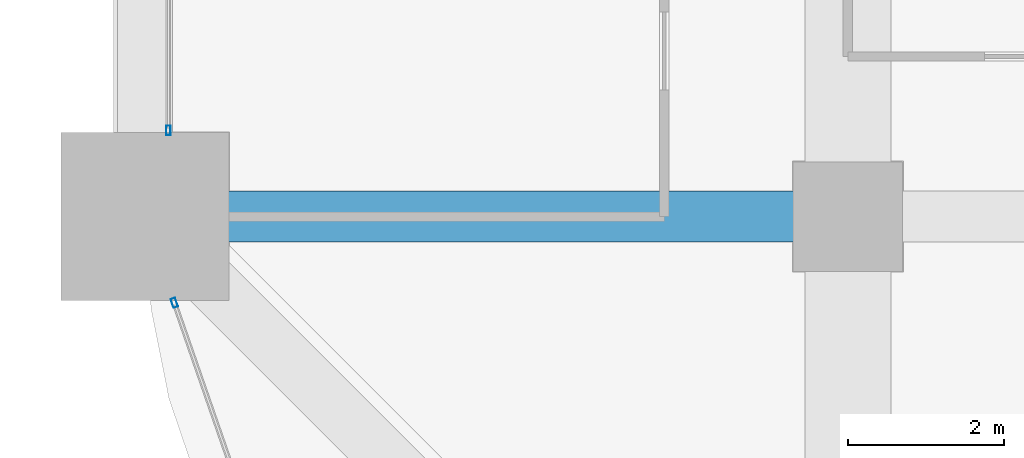
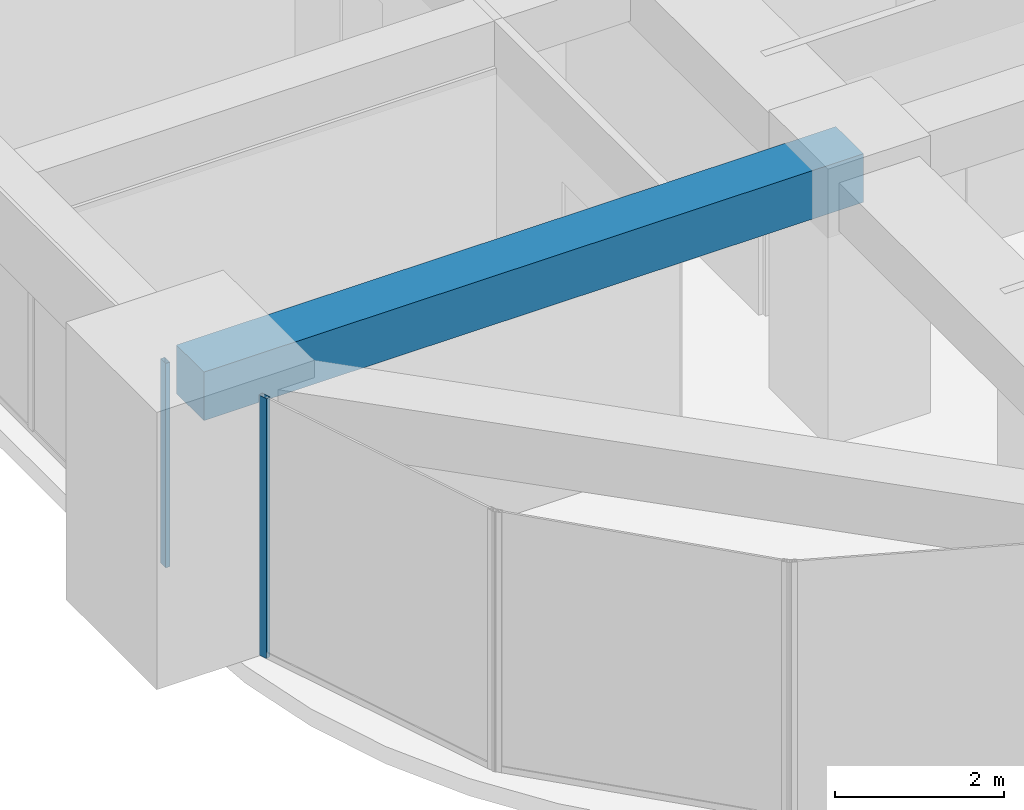
# One storey, part 6 of 43: 2 members, 1 beam, 2 elements without a shape of their own.
"""IFC4 building model written with IfcOpenShell, lengths in metres."""

from ifc_helpers import new_model, si_unit, direction, frame, origin, origin_2d, place, context, subcontext, project, spatial, rectangle, hollow_rectangle, extrude, material, material_profile, profile_set, type_object, element, aggregate, save


model = new_model("IFC4")

# Units and contexts
model_context = context("Model", 3, precision=1e-05, world=origin(), true_north=direction((0.0, 1.0)))
body_context = subcontext(model_context, "Body", "Model", "MODEL_VIEW")
ifc_project = project(units=[si_unit("LENGTHUNIT", "METRE"), si_unit("AREAUNIT", "SQUARE_METRE"), si_unit("VOLUMEUNIT", "CUBIC_METRE"), si_unit("PLANEANGLEUNIT", "RADIAN"), si_unit("MASSUNIT", "GRAM", prefix="KILO")], contexts=[model_context])

# Site, building, storey
site_placement = place(None, origin())
site = spatial("IfcSite", under=ifc_project, at=site_placement, CompositionType="ELEMENT")
building_placement = place(site_placement, origin())
building = spatial("IfcBuilding", under=site, at=building_placement, Name="Zorevar Civic Tower", CompositionType="ELEMENT")
storey_placement = place(building_placement, frame((0.0, 0.0, 243.39990234375)))
storey = spatial("IfcBuildingStorey", under=building, at=storey_placement, Name="L59", CompositionType="ELEMENT", Elevation=243.39990234375)

# Beam
ifc_material_1 = material(Name="Concrete C50/60", Category="concrete")
ifc_material_profile_1 = material_profile(ifc_material_1, rectangle(XDim=0.64990234375, YDim=0.699951171875, at=origin_2d()), Name="RC 650x700")
ifc_profile_set_1 = profile_set([ifc_material_profile_1], Name="Concrete C50/60")
beam_type = type_object("IfcBeamType", Name="Beam RC 650x700", PredefinedType="BEAM", material=ifc_profile_set_1)
beam_placement = place(storey_placement, frame((9.0, 9.0, 3.400146484375), z_axis=(1.0, 0.0, 0.0), x_axis=(0.0, 1.0, 0.0)))
element("IfcBeam", 1, at=beam_placement, inside=storey, type_object=beam_type, Name="Girder L60", PredefinedType="BEAM", context=body_context, shape_type="SweptSolid", body=[
    extrude(rectangle(XDim=0.64990234375, YDim=0.699951171875, at=origin_2d()), origin(), (0.0, 0.0, 1.0), 9.0),
])

# Curtain wall, member
ifc_material_2 = material(Name="Dark grey solar-control glass in black aluminium frame", Category="aluminium")
curtain_wall_type = type_object("IfcCurtainWallType", Name="Curtain wall CW5 top zone", PredefinedType="NOTDEFINED", material=ifc_material_2)
curtain_wall_1_placement = place(storey_placement, origin())
curtain_wall_1 = element("IfcCurtainWall", 2, at=curtain_wall_1_placement, inside=storey, type_object=curtain_wall_type, Name="CW5 L59", PredefinedType="NOTDEFINED")
ifc_material_3 = material(Name="Aluminium, black anodised", Category="aluminium")
ifc_material_profile_2 = material_profile(ifc_material_3, hollow_rectangle(XDim=0.06005859375, YDim=0.1201171875, WallThickness=0.0029296875, at=origin_2d()), Name="AL 120x60x3")
ifc_profile_set_2 = profile_set([ifc_material_profile_2], Name="Aluminium, black anodised")
member_type = type_object("IfcMemberType", Name="CW5 mullion AL 120x60x3", PredefinedType="MULLION", material=ifc_profile_set_2)
member_1_placement = place(storey_placement, frame((9.300048828125, 10.10498046875, 0.0), z_axis=(0.0, 0.0, 1.0), x_axis=(-1.0, 0.0, 0.0)))
member_1 = element("IfcMember", 3, at=member_1_placement, type_object=member_type, Name="CW5 mullion 1", PredefinedType="MULLION", context=body_context, shape_type="SweptSolid", body=[
    extrude(hollow_rectangle(XDim=0.06005859375, YDim=0.1201171875, WallThickness=0.0029296875, at=origin_2d()), origin(), (0.0, 0.0, 1.0), 2.9501953125),
])
aggregate(curtain_wall_1, [member_1])

curtain_wall_2_placement = place(storey_placement, origin())
curtain_wall_2 = element("IfcCurtainWall", 4, at=curtain_wall_2_placement, inside=storey, type_object=curtain_wall_type, Name="CW5 L59", PredefinedType="NOTDEFINED")
member_2_placement = place(storey_placement, frame((9.37646484375, 7.896728515625, 0.0), z_axis=(0.0, 0.0, 1.0), x_axis=(0.944668547413, 0.328026425047, 0.0)))
member_2 = element("IfcMember", 5, at=member_2_placement, type_object=member_type, Name="CW5 mullion 1", PredefinedType="MULLION", context=body_context, shape_type="SweptSolid", body=[
    extrude(hollow_rectangle(XDim=0.06005859375, YDim=0.1201171875, WallThickness=0.0029296875, at=origin_2d()), origin(), (0.0, 0.0, 1.0), 3.75),
])
aggregate(curtain_wall_2, [member_2])

save(model, "model.ifc")
